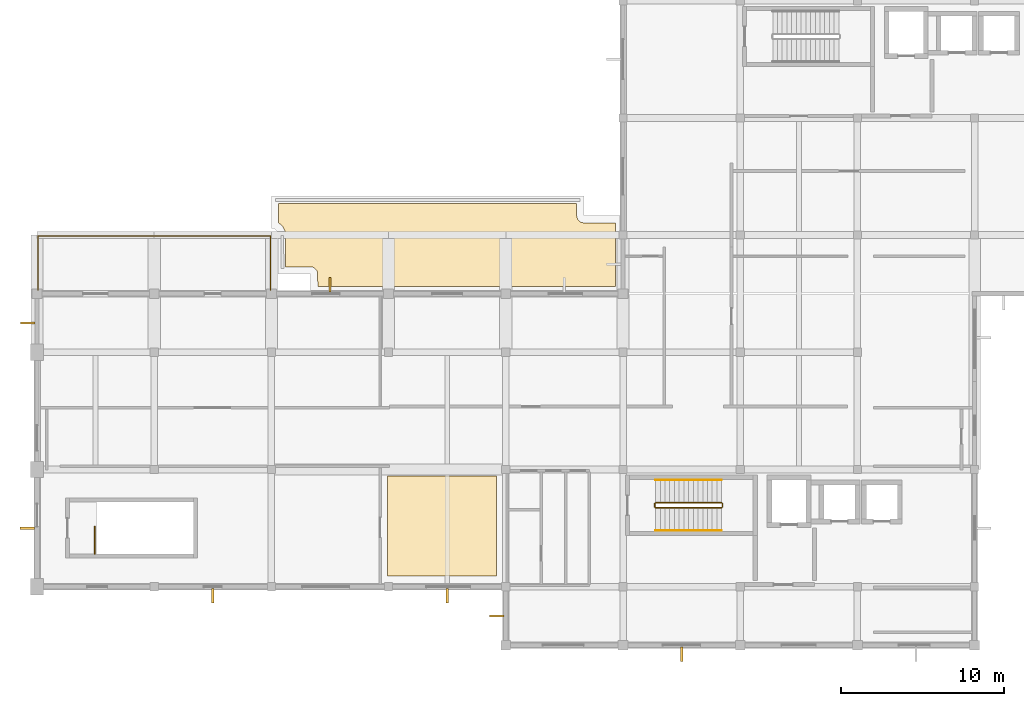
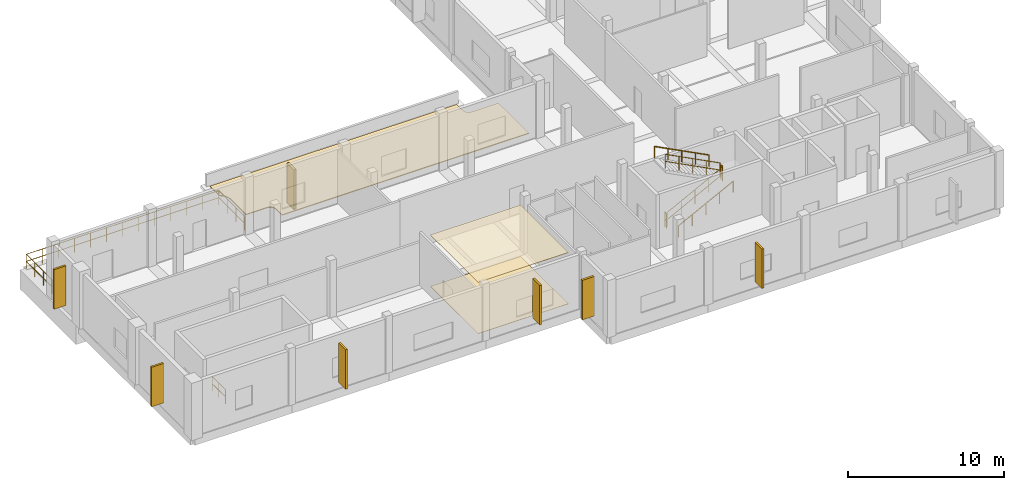
# One storey, part 7 of 9: 10 railings, 7 shading devices, 3 coverings.
"""IFC4 building model written with IfcOpenShell, lengths in metres."""

from ifc_helpers import new_model, si_unit, direction, frame, origin, origin_2d, place, context, subcontext, project, spatial, polyline, rectangle, circle, outline, extrude, material, layer, layer_set, type_object, element, save


model = new_model("IFC4")

# Units and contexts
model_context = context("Model", 3, precision=1e-05, world=origin(), true_north=direction((0.0, 1.0)))
body_context = subcontext(model_context, "Body", "Model", "MODEL_VIEW")
ifc_project = project(units=[si_unit("LENGTHUNIT", "METRE"), si_unit("AREAUNIT", "SQUARE_METRE"), si_unit("VOLUMEUNIT", "CUBIC_METRE"), si_unit("PLANEANGLEUNIT", "RADIAN"), si_unit("MASSUNIT", "GRAM", prefix="KILO")], contexts=[model_context])

# Site, building, storey
site_placement = place(None, origin())
site = spatial("IfcSite", under=ifc_project, at=site_placement, CompositionType="ELEMENT")
building_placement = place(site_placement, origin())
building = spatial("IfcBuilding", under=site, at=building_placement, Name="Seraya Terrace Polytechnic", CompositionType="ELEMENT")
storey_placement = place(building_placement, frame((0.0, 0.0, 32.39990234375)))
storey = spatial("IfcBuildingStorey", under=building, at=storey_placement, Name="L07", CompositionType="ELEMENT", Elevation=32.39990234375)

# Shading devices
ifc_material_1 = material(Name="Precast concrete C40/50", Category="concrete")
shading_device_type = type_object("IfcShadingDeviceType", Name="BS-F1", PredefinedType="JALOUSIE", material=ifc_material_1)
for number, where, z_axis, x_axis, name in (
    (1, (82.800048828125, 3.0400390625, 0.449951171875), (0.0, 0.0, 1.0), (0.0, -1.0, 0.0), "Precast concrete brise-soleil fin L07"),
    (2, (71.43994140625, 5.39990234375, 0.449951171875), (0.0, 0.0, 1.0), (-1.0, 0.0, 0.0), "Precast concrete brise-soleil fin L07"),
    (3, (68.39990234375, 6.639892578125, 0.449951171875), (0.0, 0.0, 1.0), (0.0, -1.0, 0.0), "Precast concrete brise-soleil fin L07"),
    (4, (54.0, 6.639892578125, 0.449951171875), (0.0, 0.0, 1.0), (0.0, -1.0, 0.0), "Precast concrete brise-soleil fin L07"),
    (5, (42.60498046875, 10.800048828125, 0.449951171875), (0.0, 0.0, 1.0), (-1.0, 0.0, 0.0), "Precast concrete brise-soleil fin L07"),
    (6, (42.639892578125, 23.39990234375, 0.449951171875), (0.0, 0.0, 1.0), (-1.0, 0.0, 0.0), "Precast concrete brise-soleil fin L07"),
    (7, (61.199951171875, 25.760009765625, 0.449951171875), (0.0, 0.0, 1.0), (0.0, 1.0, 0.0), "Precast concrete brise-soleil fin L07"),
):
    element("IfcShadingDevice", number, at=place(storey_placement, frame(where, z_axis=z_axis, x_axis=x_axis)), inside=storey, type_object=shading_device_type, Name=name, PredefinedType="JALOUSIE", context=body_context, shape_type="SweptSolid", body=[
        extrude(rectangle(XDim=0.89990234375, YDim=0.14990234375, at=origin_2d()), origin(), (0.0, 0.0, 1.0), 3.10009765625),
    ])

# Coverings
ifc_material_2 = material(Name="Acoustic mineral fibre and timber baffle ceiling", Category="wood")
ifc_layer_1 = layer(ifc_material_2, 0.0400390625, Name="CL-01")
ifc_layer_set_1 = layer_set([ifc_layer_1], Name="Acoustic mineral fibre and timber baffle ceiling")
covering_type_1 = type_object("IfcCoveringType", Name="CL-01", PredefinedType="CEILING", material=ifc_layer_set_1)
covering_1_placement = place(storey_placement, frame((0.0, 0.0, 4.010009765625)))
element("IfcCovering", 8, at=covering_1_placement, inside=storey, type_object=covering_type_1, Name="Acoustic suspended ceiling L07-A02", PredefinedType="CEILING", context=body_context, shape_type="SweptSolid", body=[
    extrude(outline(polyline([(64.723388671875, 14.010009765625), (71.423583984375, 14.010009765625), (71.423583984375, 7.8701171875), (64.723388671875, 7.8701171875), (64.723388671875, 14.010009765625)])), origin(), (0.0, 0.0, 1.0), 0.0400390625),
])
ifc_material_3 = material(Name="Heavy-duty epoxy and terrazzo floor finish")
ifc_layer_2 = layer(ifc_material_3, 0.02001953125, Name="FL-C1")
ifc_layer_set_2 = layer_set([ifc_layer_2], Name="Heavy-duty epoxy and terrazzo floor finish")
covering_type_2 = type_object("IfcCoveringType", Name="FL-C1", PredefinedType="FLOORING", material=ifc_layer_set_2)
covering_2_placement = place(storey_placement, origin())
element("IfcCovering", 9, at=covering_2_placement, inside=storey, type_object=covering_type_2, Name="Floor finish L07-A02", PredefinedType="FLOORING", context=body_context, shape_type="SweptSolid", body=[
    extrude(outline(polyline([(64.723388671875, 14.010009765625), (71.423583984375, 14.010009765625), (71.423583984375, 7.8701171875), (64.723388671875, 7.8701171875), (64.723388671875, 14.010009765625)])), origin(), (0.0, 0.0, 1.0), 0.02001953125),
])

# Railings
ifc_material_4 = material(Name="Steel S355J2", Category="steel")
railing_type_1 = type_object("IfcRailingType", Name="GR-01", PredefinedType="GUARDRAIL", material=ifc_material_4)
railing_1_placement = place(storey_placement, frame((57.5400390625, 25.43994140625, 0.0)))
element("IfcRailing", 10, at=railing_1_placement, inside=storey, type_object=railing_type_1, Name="Terrace perimeter guardrail TERR-L07-W E1", PredefinedType="GUARDRAIL", context=body_context, shape_type="SweptSolid", body=[
    extrude(circle(Radius=0.02392578125, at=origin_2d()), frame((0.0, 0.0, 1.10595703125), z_axis=(0.0, 1.0, 0.0), x_axis=(-1.0, 0.0, 0.0)), (0.0, 0.0, 1.0), 3.300048828125),
    extrude(circle(Radius=0.02392578125, at=origin_2d()), frame((0.0, 0.0, 0.550048828125), z_axis=(0.0, 1.0, 0.0), x_axis=(-1.0, 0.0, 0.0)), (0.0, 0.0, 1.0), 3.300048828125),
    extrude(circle(Radius=0.02099609375, at=origin_2d()), origin(), (0.0, 0.0, 1.0), 1.081787109375),
    extrude(circle(Radius=0.02099609375, at=origin_2d()), frame((0.0, 1.10009765625, 0.0)), (0.0, 0.0, 1.0), 1.081787109375),
    extrude(circle(Radius=0.02099609375, at=origin_2d()), frame((0.0, 2.199951171875, 0.0)), (0.0, 0.0, 1.0), 1.081787109375),
    extrude(circle(Radius=0.02099609375, at=origin_2d()), frame((0.0, 3.300048828125, 0.0)), (0.0, 0.0, 1.0), 1.081787109375),
])
railing_2_placement = place(storey_placement, frame((57.5400390625, 28.739990234375, 0.0)))
element("IfcRailing", 11, at=railing_2_placement, inside=storey, type_object=railing_type_1, Name="Terrace perimeter guardrail TERR-L07-W N1", PredefinedType="GUARDRAIL", context=body_context, shape_type="SweptSolid", body=[
    extrude(circle(Radius=0.02392578125, at=origin_2d()), frame((0.0, 0.0, 1.10595703125), z_axis=(-1.0, 0.0, 0.0), x_axis=(0.0, -1.0, 0.0)), (0.0, 0.0, 1.0), 14.280029296875),
    extrude(circle(Radius=0.02392578125, at=origin_2d()), frame((0.0, 0.0, 0.550048828125), z_axis=(-1.0, 0.0, 0.0), x_axis=(0.0, -1.0, 0.0)), (0.0, 0.0, 1.0), 14.280029296875),
    extrude(circle(Radius=0.02099609375, at=origin_2d()), origin(), (0.0, 0.0, 1.0), 1.081787109375),
    extrude(circle(Radius=0.02099609375, at=origin_2d()), frame((-1.18994140625, 0.0, 0.0)), (0.0, 0.0, 1.0), 1.081787109375),
    extrude(circle(Radius=0.02099609375, at=origin_2d()), frame((-2.3798828125, 0.0, 0.0)), (0.0, 0.0, 1.0), 1.081787109375),
    extrude(circle(Radius=0.02099609375, at=origin_2d()), frame((-3.570068359375, 0.0, 0.0)), (0.0, 0.0, 1.0), 1.081787109375),
    extrude(circle(Radius=0.02099609375, at=origin_2d()), frame((-4.760009765625, 0.0, 0.0)), (0.0, 0.0, 1.0), 1.081787109375),
    extrude(circle(Radius=0.02099609375, at=origin_2d()), frame((-5.949951171875, 0.0, 0.0)), (0.0, 0.0, 1.0), 1.081787109375),
    extrude(circle(Radius=0.02099609375, at=origin_2d()), frame((-7.14013671875, 0.0, 0.0)), (0.0, 0.0, 1.0), 1.081787109375),
    extrude(circle(Radius=0.02099609375, at=origin_2d()), frame((-8.330078125, 0.0, 0.0)), (0.0, 0.0, 1.0), 1.081787109375),
    extrude(circle(Radius=0.02099609375, at=origin_2d()), frame((-9.52001953125, 0.0, 0.0)), (0.0, 0.0, 1.0), 1.081787109375),
    extrude(circle(Radius=0.02099609375, at=origin_2d()), frame((-10.7099609375, 0.0, 0.0)), (0.0, 0.0, 1.0), 1.081787109375),
    extrude(circle(Radius=0.02099609375, at=origin_2d()), frame((-11.89990234375, 0.0, 0.0)), (0.0, 0.0, 1.0), 1.081787109375),
    extrude(circle(Radius=0.02099609375, at=origin_2d()), frame((-13.090087890625, 0.0, 0.0)), (0.0, 0.0, 1.0), 1.081787109375),
    extrude(circle(Radius=0.02099609375, at=origin_2d()), frame((-14.280029296875, 0.0, 0.0)), (0.0, 0.0, 1.0), 1.081787109375),
])
railing_3_placement = place(storey_placement, frame((43.260009765625, 28.739990234375, 0.0)))
element("IfcRailing", 12, at=railing_3_placement, inside=storey, type_object=railing_type_1, Name="Terrace perimeter guardrail TERR-L07-W W1", PredefinedType="GUARDRAIL", context=body_context, shape_type="SweptSolid", body=[
    extrude(circle(Radius=0.02392578125, at=origin_2d()), frame((0.0, 0.0, 1.10595703125), z_axis=(0.0, -1.0, 0.0), x_axis=(1.0, 0.0, 0.0)), (0.0, 0.0, 1.0), 3.300048828125),
    extrude(circle(Radius=0.02392578125, at=origin_2d()), frame((0.0, 0.0, 0.550048828125), z_axis=(0.0, -1.0, 0.0), x_axis=(1.0, 0.0, 0.0)), (0.0, 0.0, 1.0), 3.300048828125),
    extrude(circle(Radius=0.02099609375, at=origin_2d()), origin(), (0.0, 0.0, 1.0), 1.081787109375),
    extrude(circle(Radius=0.02099609375, at=origin_2d()), frame((0.0, -1.10009765625, 0.0)), (0.0, 0.0, 1.0), 1.081787109375),
    extrude(circle(Radius=0.02099609375, at=origin_2d()), frame((0.0, -2.199951171875, 0.0)), (0.0, 0.0, 1.0), 1.081787109375),
    extrude(circle(Radius=0.02099609375, at=origin_2d()), frame((0.0, -3.300048828125, 0.0)), (0.0, 0.0, 1.0), 1.081787109375),
])
railing_type_2 = type_object("IfcRailingType", Name="GR-02", PredefinedType="GUARDRAIL", material=ifc_material_4)
railing_4_placement = place(storey_placement, frame((81.199951171875, 12.050048828125, 0.150146484375)))
element("IfcRailing", 13, at=railing_4_placement, inside=storey, type_object=railing_type_2, Name="L07 ST-01 stair guard 1", PredefinedType="GUARDRAIL", context=body_context, shape_type="SweptSolid", body=[
    extrude(circle(Radius=0.02392578125, at=origin_2d()), frame((0.0, 0.0, 1.10595703125), z_axis=(0.888233425583, 0.0, 0.459392404897), x_axis=(0.0, 1.0, 0.0)), (0.0, 0.0, 1.0), 4.571044921875),
    extrude(circle(Radius=0.02392578125, at=origin_2d()), frame((0.0, 0.0, 0.550048828125), z_axis=(0.888233425583, 0.0, 0.459392404897), x_axis=(0.0, 1.0, 0.0)), (0.0, 0.0, 1.0), 4.571044921875),
    extrude(circle(Radius=0.02099609375, at=origin_2d()), origin(), (0.0, 0.0, 1.0), 1.081787109375),
    extrude(circle(Radius=0.02099609375, at=origin_2d()), frame((1.01513671875, 0.0, 0.52490234375)), (0.0, 0.0, 1.0), 1.081787109375),
    extrude(circle(Radius=0.02099609375, at=origin_2d()), frame((2.030029296875, 0.0, 1.0498046875)), (0.0, 0.0, 1.0), 1.081787109375),
    extrude(circle(Radius=0.02099609375, at=origin_2d()), frame((3.044921875, 0.0, 1.574951171875)), (0.0, 0.0, 1.0), 1.081787109375),
    extrude(circle(Radius=0.02099609375, at=origin_2d()), frame((4.06005859375, 0.0, 2.099853515625)), (0.0, 0.0, 1.0), 1.081787109375),
])
railing_5_placement = place(storey_placement, frame((85.31005859375, 12.10009765625, 2.25)))
element("IfcRailing", 14, at=railing_5_placement, inside=storey, type_object=railing_type_2, Name="L07 ST-01 stair guard 2", PredefinedType="GUARDRAIL", context=body_context, shape_type="SweptSolid", body=[
    extrude(circle(Radius=0.02392578125, at=origin_2d()), frame((0.0, 0.0, 1.10595703125), z_axis=(0.0, 1.0, 0.0), x_axis=(-1.0, 0.0, 0.0)), (0.0, 0.0, 1.0), 0.199951171875),
    extrude(circle(Radius=0.02392578125, at=origin_2d()), frame((0.0, 0.0, 0.550048828125), z_axis=(0.0, 1.0, 0.0), x_axis=(-1.0, 0.0, 0.0)), (0.0, 0.0, 1.0), 0.199951171875),
    extrude(circle(Radius=0.02099609375, at=origin_2d()), origin(), (0.0, 0.0, 1.0), 1.081787109375),
    extrude(circle(Radius=0.02099609375, at=origin_2d()), frame((0.0, 0.199951171875, 0.0)), (0.0, 0.0, 1.0), 1.081787109375),
])
railing_6_placement = place(storey_placement, frame((85.260009765625, 12.35009765625, 2.400146484375)))
element("IfcRailing", 15, at=railing_6_placement, inside=storey, type_object=railing_type_2, Name="L07 ST-01 stair guard 3", PredefinedType="GUARDRAIL", context=body_context, shape_type="SweptSolid", body=[
    extrude(circle(Radius=0.02392578125, at=origin_2d()), frame((0.0, 0.0, 1.10595703125), z_axis=(-0.888233425583, 0.0, 0.459392404897), x_axis=(0.0, -1.0, 0.0)), (0.0, 0.0, 1.0), 4.571044921875),
    extrude(circle(Radius=0.02392578125, at=origin_2d()), frame((0.0, 0.0, 0.550048828125), z_axis=(-0.888233425583, 0.0, 0.459392404897), x_axis=(0.0, -1.0, 0.0)), (0.0, 0.0, 1.0), 4.571044921875),
    extrude(circle(Radius=0.02099609375, at=origin_2d()), origin(), (0.0, 0.0, 1.0), 1.081787109375),
    extrude(circle(Radius=0.02099609375, at=origin_2d()), frame((-1.01513671875, 0.0, 0.52490234375)), (0.0, 0.0, 1.0), 1.081787109375),
    extrude(circle(Radius=0.02099609375, at=origin_2d()), frame((-2.030029296875, 0.0, 1.0498046875)), (0.0, 0.0, 1.0), 1.081787109375),
    extrude(circle(Radius=0.02099609375, at=origin_2d()), frame((-3.044921875, 0.0, 1.574951171875)), (0.0, 0.0, 1.0), 1.081787109375),
    extrude(circle(Radius=0.02099609375, at=origin_2d()), frame((-4.06005859375, 0.0, 2.099853515625)), (0.0, 0.0, 1.0), 1.081787109375),
])
railing_7_placement = place(storey_placement, frame((81.14990234375, 12.10009765625, 0.0)))
element("IfcRailing", 16, at=railing_7_placement, inside=storey, type_object=railing_type_2, Name="L07 ST-01 stair guard 4", PredefinedType="GUARDRAIL", context=body_context, shape_type="SweptSolid", body=[
    extrude(circle(Radius=0.02392578125, at=origin_2d()), frame((0.0, 0.0, 1.10595703125), z_axis=(0.0, 1.0, 0.0), x_axis=(-1.0, 0.0, 0.0)), (0.0, 0.0, 1.0), 0.199951171875),
    extrude(circle(Radius=0.02392578125, at=origin_2d()), frame((0.0, 0.0, 0.550048828125), z_axis=(0.0, 1.0, 0.0), x_axis=(-1.0, 0.0, 0.0)), (0.0, 0.0, 1.0), 0.199951171875),
    extrude(circle(Radius=0.02099609375, at=origin_2d()), origin(), (0.0, 0.0, 1.0), 1.081787109375),
    extrude(circle(Radius=0.02099609375, at=origin_2d()), frame((0.0, 0.199951171875, 0.0)), (0.0, 0.0, 1.0), 1.081787109375),
])
railing_8_placement = place(storey_placement, frame((46.75, 9.199951171875, 0.0)))
element("IfcRailing", 17, at=railing_8_placement, inside=storey, type_object=railing_type_2, Name="L07 ST-03 top well guard 1", PredefinedType="GUARDRAIL", context=body_context, shape_type="SweptSolid", body=[
    extrude(circle(Radius=0.02392578125, at=origin_2d()), frame((0.0, 0.0, 1.10595703125), z_axis=(0.0, 1.0, 0.0), x_axis=(-1.0, 0.0, 0.0)), (0.0, 0.0, 1.0), 1.699951171875),
    extrude(circle(Radius=0.02392578125, at=origin_2d()), frame((0.0, 0.0, 0.550048828125), z_axis=(0.0, 1.0, 0.0), x_axis=(-1.0, 0.0, 0.0)), (0.0, 0.0, 1.0), 1.699951171875),
    extrude(circle(Radius=0.02099609375, at=origin_2d()), origin(), (0.0, 0.0, 1.0), 1.081787109375),
    extrude(circle(Radius=0.02099609375, at=origin_2d()), frame((0.0, 0.85009765625, 0.0)), (0.0, 0.0, 1.0), 1.081787109375),
    extrude(circle(Radius=0.02099609375, at=origin_2d()), frame((0.0, 1.699951171875, 0.0)), (0.0, 0.0, 1.0), 1.081787109375),
])
railing_type_3 = type_object("IfcRailingType", Name="HR-01", PredefinedType="HANDRAIL", material=ifc_material_4)
railing_9_placement = place(storey_placement, frame((81.199951171875, 10.64990234375, 0.150146484375)))
element("IfcRailing", 18, at=railing_9_placement, inside=storey, type_object=railing_type_3, Name="L07 ST-01 stair handrail 1", PredefinedType="HANDRAIL", context=body_context, shape_type="SweptSolid", body=[
    extrude(circle(Radius=0.02392578125, at=origin_2d()), frame((0.0, 0.0, 0.8759765625), z_axis=(0.888233425583, 0.0, 0.459392404897), x_axis=(0.0, 1.0, 0.0)), (0.0, 0.0, 1.0), 4.571044921875),
    extrude(circle(Radius=0.02099609375, at=origin_2d()), origin(), (0.0, 0.0, 1.0), 0.851806640625),
    extrude(circle(Radius=0.02099609375, at=origin_2d()), frame((1.01513671875, 0.0, 0.52490234375)), (0.0, 0.0, 1.0), 0.851806640625),
    extrude(circle(Radius=0.02099609375, at=origin_2d()), frame((2.030029296875, 0.0, 1.0498046875)), (0.0, 0.0, 1.0), 0.851806640625),
    extrude(circle(Radius=0.02099609375, at=origin_2d()), frame((3.044921875, 0.0, 1.574951171875)), (0.0, 0.0, 1.0), 0.851806640625),
    extrude(circle(Radius=0.02099609375, at=origin_2d()), frame((4.06005859375, 0.0, 2.099853515625)), (0.0, 0.0, 1.0), 0.851806640625),
])
railing_10_placement = place(storey_placement, frame((85.260009765625, 13.75, 2.400146484375)))
element("IfcRailing", 19, at=railing_10_placement, inside=storey, type_object=railing_type_3, Name="L07 ST-01 stair handrail 2", PredefinedType="HANDRAIL", context=body_context, shape_type="SweptSolid", body=[
    extrude(circle(Radius=0.02392578125, at=origin_2d()), frame((0.0, 0.0, 0.8759765625), z_axis=(-0.888233425583, 0.0, 0.459392404897), x_axis=(0.0, -1.0, 0.0)), (0.0, 0.0, 1.0), 4.571044921875),
    extrude(circle(Radius=0.02099609375, at=origin_2d()), origin(), (0.0, 0.0, 1.0), 0.851806640625),
    extrude(circle(Radius=0.02099609375, at=origin_2d()), frame((-1.01513671875, 0.0, 0.52490234375)), (0.0, 0.0, 1.0), 0.851806640625),
    extrude(circle(Radius=0.02099609375, at=origin_2d()), frame((-2.030029296875, 0.0, 1.0498046875)), (0.0, 0.0, 1.0), 0.851806640625),
    extrude(circle(Radius=0.02099609375, at=origin_2d()), frame((-3.044921875, 0.0, 1.574951171875)), (0.0, 0.0, 1.0), 0.851806640625),
    extrude(circle(Radius=0.02099609375, at=origin_2d()), frame((-4.06005859375, 0.0, 2.099853515625)), (0.0, 0.0, 1.0), 0.851806640625),
])

# Covering
ifc_material_5 = material(Name="Insulated TPO waterproof roofing membrane")
ifc_layer_3 = layer(ifc_material_5, 0.06005859375, Name="RF-C1")
ifc_layer_set_3 = layer_set([ifc_layer_3], Name="Insulated TPO waterproof roofing membrane")
covering_type_3 = type_object("IfcCoveringType", Name="RF-C1", PredefinedType="ROOFING", material=ifc_layer_set_3)
covering_3_placement = place(storey_placement, origin())
element("IfcCovering", 20, at=covering_3_placement, inside=storey, type_object=covering_type_3, Name="Waterproof TPO roof covering ROOF-L07-COURTRIM", PredefinedType="ROOFING", context=body_context, shape_type="SweptSolid", body=[
    extrude(outline(polyline([(58.050048828125, 29.543212890625), (58.050048828125, 30.75), (76.35009765625, 30.75), (76.358642578125, 29.912109375), (76.42578125, 29.75), (76.514404296875, 29.652099609375), (76.587890625, 29.60302734375), (76.66943359375, 29.5693359375), (76.800048828125, 29.550048828125), (78.75, 29.550048828125), (78.75, 25.64990234375), (60.449951171875, 25.64990234375), (60.44140625, 26.48779296875), (60.374267578125, 26.64990234375), (60.25, 26.774169921875), (60.130615234375, 26.83056640625), (60.0, 26.85009765625), (58.469482421875, 26.85009765625), (58.464599609375, 28.896484375), (58.40771484375, 29.122802734375), (58.323486328125, 29.283203125), (58.215087890625, 29.415283203125), (58.050048828125, 29.543212890625)])), origin(), (0.0, 0.0, 1.0), 0.06005859375),
])

save(model, "model.ifc")
